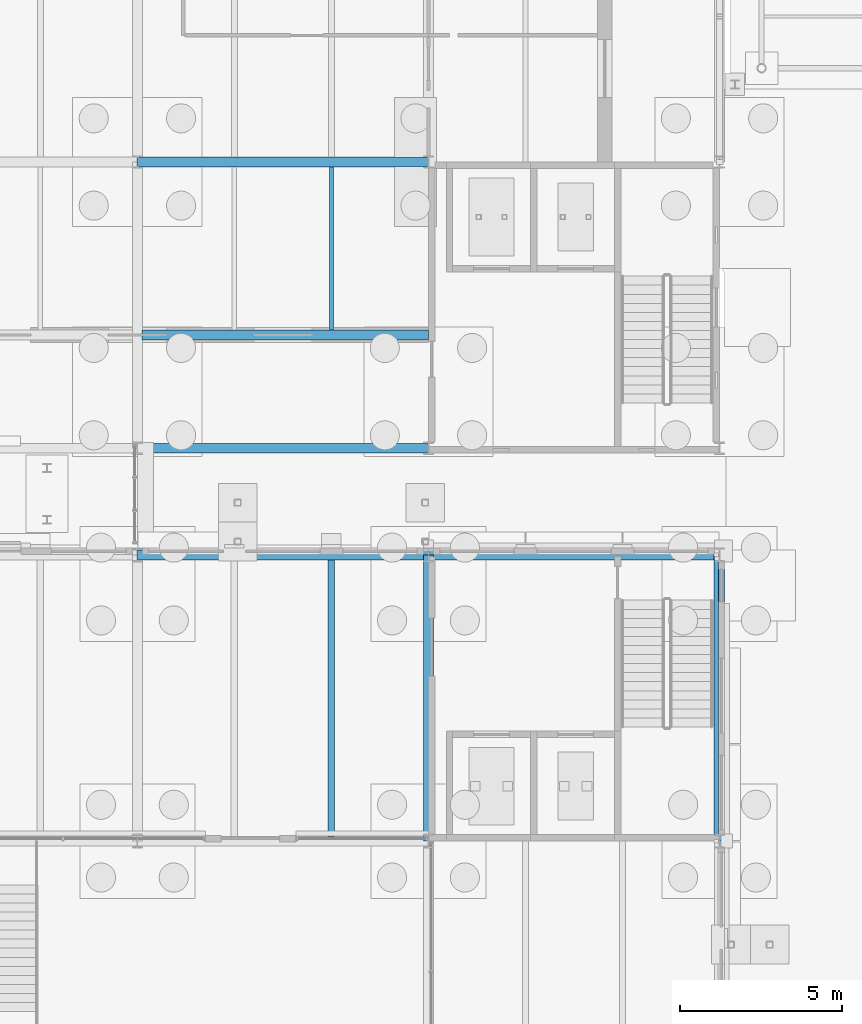
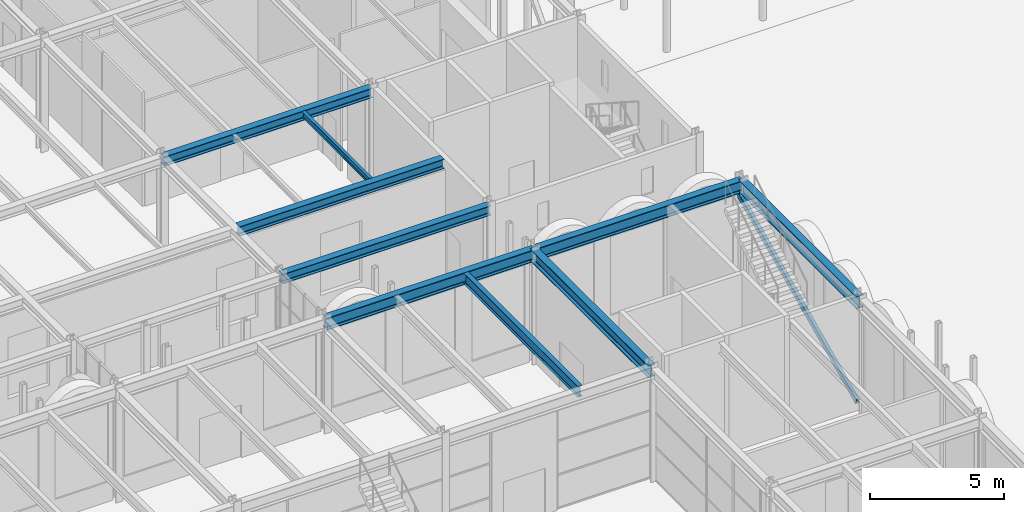
# One storey, part 52 of 126: 9 beams, 1 member.
"""IFC4 building model written with IfcOpenShell, lengths in metres."""

from ifc_helpers import new_model, si_unit, direction, frame, origin, origin_2d, place, context, subcontext, project, spatial, hollow_rectangle, i_section, extrude, material, material_profile, profile_set, type_object, element, save


model = new_model("IFC4")

# Units and contexts
model_context = context("Model", 3, precision=1e-05, world=origin(), true_north=direction((0.0, 1.0)))
body_context = subcontext(model_context, "Body", "Model", "MODEL_VIEW")
ifc_project = project(units=[si_unit("LENGTHUNIT", "METRE"), si_unit("AREAUNIT", "SQUARE_METRE"), si_unit("VOLUMEUNIT", "CUBIC_METRE"), si_unit("PLANEANGLEUNIT", "RADIAN"), si_unit("MASSUNIT", "GRAM", prefix="KILO")], contexts=[model_context])

# Site, building, storey
site_placement = place(None, origin())
site = spatial("IfcSite", under=ifc_project, at=site_placement, CompositionType="ELEMENT")
building_placement = place(site_placement, origin())
building = spatial("IfcBuilding", under=site, at=building_placement, Name="Kallimachos Central Library", CompositionType="ELEMENT")
storey_placement = place(building_placement, origin())
storey = spatial("IfcBuildingStorey", under=building, at=storey_placement, Name="L00", CompositionType="ELEMENT", Elevation=0.0)

# Beams
ifc_material_1 = material(Name="Steel S355J2", Category="steel")
ifc_material_profile_1 = material_profile(ifc_material_1, i_section(OverallWidth=0.300048828125, OverallDepth=0.43994140625, WebThickness=0.011474609375, FlangeThickness=0.02099609375, FilletRadius=0.027099609375, at=origin_2d()), Name="HEA 450")
ifc_profile_set_1 = profile_set([ifc_material_profile_1], Name="Steel S355J2")
beam_type_1 = type_object("IfcBeamType", Name="HEA 450 beam", PredefinedType="BEAM", material=ifc_profile_set_1)
for number, where, z_axis, x_axis, name in (
    (1, (92.5, 87.14990234375, 4.97998046875), (1.0, 0.0, 0.0), (0.0, 1.0, 0.0), "V1-BEM-L00-017"),
    (2, (92.5, 96.0, 4.97998046875), (1.0, 0.0, 0.0), (0.0, 1.0, 0.0), "V1-BEM-L00-020"),
):
    element("IfcBeam", number, at=place(storey_placement, frame(where, z_axis=z_axis, x_axis=x_axis)), inside=storey, type_object=beam_type_1, Name=name, PredefinedType="BEAM", context=body_context, shape_type="SweptSolid", body=[
        extrude(i_section(OverallWidth=0.300048828125, OverallDepth=0.43994140625, WebThickness=0.011474609375, FlangeThickness=0.02099609375, FilletRadius=0.027099609375, at=origin_2d()), origin(), (0.0, 0.0, 1.0), 9.0),
    ])
beam_1_placement = place(storey_placement, frame((92.64990234375, 90.64990234375, 4.97998046875), z_axis=(1.0, 0.0, 0.0), x_axis=(0.0, 1.0, 0.0)))
element("IfcBeam", 3, at=beam_1_placement, inside=storey, type_object=beam_type_1, Name="V1-BEM-L00-033", PredefinedType="BEAM", context=body_context, shape_type="SweptSolid", body=[
    extrude(i_section(OverallWidth=0.300048828125, OverallDepth=0.43994140625, WebThickness=0.011474609375, FlangeThickness=0.02099609375, FilletRadius=0.027099609375, at=origin_2d()), origin(), (0.0, 0.0, 1.0), 8.85009765625),
])
ifc_material_2 = material(Name="Steel S355J2", Category="steel")
ifc_material_profile_2 = material_profile(ifc_material_2, i_section(OverallWidth=0.300048828125, OverallDepth=0.550048828125, WebThickness=0.014892578125, FlangeThickness=0.029052734375, FilletRadius=0.027099609375, at=origin_2d()), Name="HEB 550")
ifc_profile_set_2 = profile_set([ifc_material_profile_2], Name="Steel S355J2")
beam_type_2 = type_object("IfcBeamType", Name="HEB 550 beam", PredefinedType="BEAM", material=ifc_profile_set_2)
for number, where, z_axis, x_axis, name in (
    (4, (92.5, 83.85009765625, 4.925048828125), (1.0, 0.0, 0.0), (0.0, 1.0, 0.0), "V4-BEM-L00-007"),
    (5, (101.5, 83.85009765625, 4.925048828125), (1.0, 0.0, 0.0), (0.0, 1.0, 0.0), "V4-BEM-L00-008"),
):
    element("IfcBeam", number, at=place(storey_placement, frame(where, z_axis=z_axis, x_axis=x_axis)), inside=storey, type_object=beam_type_2, Name=name, PredefinedType="BEAM", context=body_context, shape_type="SweptSolid", body=[
        extrude(i_section(OverallWidth=0.300048828125, OverallDepth=0.550048828125, WebThickness=0.014892578125, FlangeThickness=0.029052734375, FilletRadius=0.027099609375, at=origin_2d()), origin(), (0.0, 0.0, 1.0), 9.0),
    ])
for number, where, z_axis, x_axis, name in (
    (6, (101.5, 75.0, 4.925048828125), (0.0, 1.0, 0.0), (-1.0, 0.0, 0.0), "V4-BEM-L00-013"),
    (7, (110.5, 75.0, 4.925048828125), (0.0, 1.0, 0.0), (-1.0, 0.0, 0.0), "V4-BEM-L00-014"),
):
    element("IfcBeam", number, at=place(storey_placement, frame(where, z_axis=z_axis, x_axis=x_axis)), inside=storey, type_object=beam_type_2, Name=name, PredefinedType="BEAM", context=body_context, shape_type="SweptSolid", body=[
        extrude(i_section(OverallWidth=0.300048828125, OverallDepth=0.550048828125, WebThickness=0.014892578125, FlangeThickness=0.029052734375, FilletRadius=0.027099609375, at=origin_2d()), origin(), (0.0, 0.0, 1.0), 8.85009765625),
    ])
ifc_material_3 = material(Name="Steel S355J2", Category="steel")
ifc_material_profile_3 = material_profile(ifc_material_3, i_section(OverallWidth=0.135009765625, OverallDepth=0.27001953125, WebThickness=0.006591796875, FlangeThickness=0.01025390625, FilletRadius=0.014892578125, at=origin_2d()), Name="IPE 270")
ifc_profile_set_3 = profile_set([ifc_material_profile_3], Name="Steel S355J2")
beam_type_3 = type_object("IfcBeamType", Name="IPE 270 beam", PredefinedType="BEAM", material=ifc_profile_set_3)
beam_2_placement = place(storey_placement, frame((98.5, 90.800048828125, 5.06494140625), z_axis=(0.0, 1.0, 0.0), x_axis=(-1.0, 0.0, 0.0)))
element("IfcBeam", 8, at=beam_2_placement, inside=storey, type_object=beam_type_3, Name="V1-BEM-L00-050", PredefinedType="BEAM", context=body_context, shape_type="SweptSolid", body=[
    extrude(i_section(OverallWidth=0.135009765625, OverallDepth=0.27001953125, WebThickness=0.006591796875, FlangeThickness=0.01025390625, FilletRadius=0.014892578125, at=origin_2d()), origin(), (0.0, 0.0, 1.0), 5.050048828125),
])
ifc_material_4 = material(Name="Steel S355J2", Category="steel")
ifc_material_profile_4 = material_profile(ifc_material_4, i_section(OverallWidth=0.199951171875, OverallDepth=0.5, WebThickness=0.01025390625, FlangeThickness=0.01611328125, FilletRadius=0.02099609375, at=origin_2d()), Name="IPE 500")
ifc_profile_set_4 = profile_set([ifc_material_profile_4], Name="Steel S355J2")
beam_type_4 = type_object("IfcBeamType", Name="IPE 500 beam", PredefinedType="BEAM", material=ifc_profile_set_4)
beam_3_placement = place(storey_placement, frame((98.5, 75.14990234375, 4.949951171875), z_axis=(0.0, 1.0, 0.0), x_axis=(-1.0, 0.0, 0.0)))
element("IfcBeam", 9, at=beam_3_placement, inside=storey, type_object=beam_type_4, Name="V4-BEM-L00-020", PredefinedType="BEAM", context=body_context, shape_type="SweptSolid", body=[
    extrude(i_section(OverallWidth=0.199951171875, OverallDepth=0.5, WebThickness=0.01025390625, FlangeThickness=0.01611328125, FilletRadius=0.02099609375, at=origin_2d()), origin(), (0.0, 0.0, 1.0), 8.550048828125),
])

# Member
ifc_material_5 = material(Name="Steel S355J2H", Category="steel")
ifc_material_profile_5 = material_profile(ifc_material_5, hollow_rectangle(XDim=0.14990234375, YDim=0.25, WallThickness=0.010009765625, InnerFilletRadius=0.010009765625, OuterFilletRadius=0.014892578125, at=origin_2d()), Name="RHS 250x150x10")
ifc_profile_set_5 = profile_set([ifc_material_profile_5], Name="Steel S355J2H")
member_type = type_object("IfcMemberType", Name="RHS 250x150x10 brace", PredefinedType="BRACE", material=ifc_profile_set_5)
member_placement = place(storey_placement, frame((110.39990234375, 75.0, 0.39990234375), z_axis=(0.0, 0.907356249397, 0.420362506272), x_axis=(-1.0, 0.0, 0.0)))
element("IfcMember", 10, at=member_placement, inside=storey, type_object=member_type, Name="V4-MEM-L00-002", PredefinedType="BRACE", context=body_context, shape_type="SweptSolid", body=[
    extrude(hollow_rectangle(XDim=0.14990234375, YDim=0.25, WallThickness=0.010009765625, InnerFilletRadius=0.010009765625, OuterFilletRadius=0.014892578125, at=origin_2d()), origin(), (0.0, 0.0, 1.0), 9.753662109375),
])

save(model, "model.ifc")
